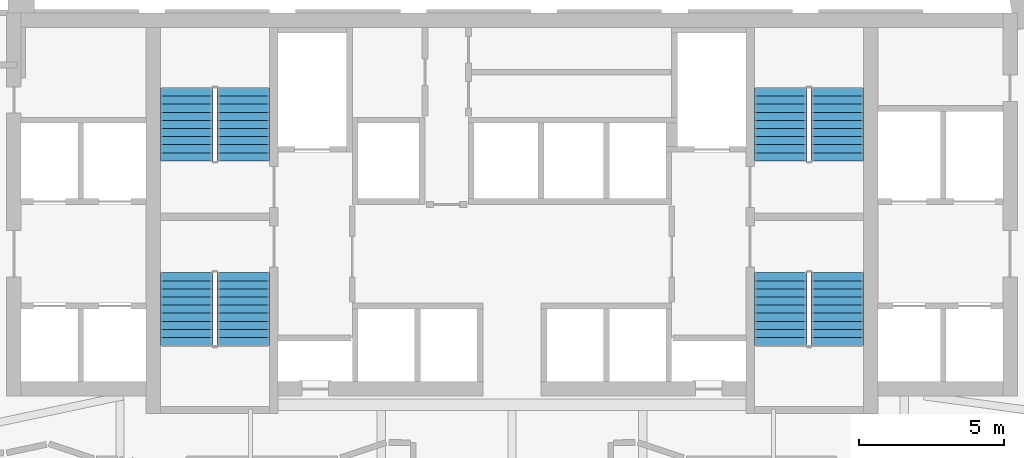
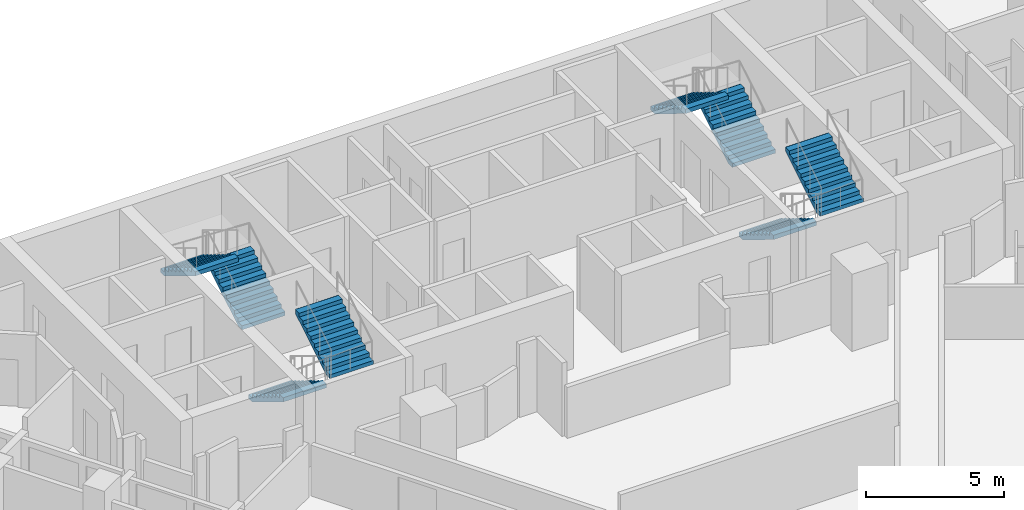
# One storey, part 10 of 11: 8 stair flights, 4 elements without a shape of their own.
"""IFC4 building model written with IfcOpenShell, lengths in metres."""

from ifc_helpers import new_model, si_unit, direction, frame, origin, place, context, subcontext, project, spatial, faceted_brep, source, transform, mapped, material, type_object, element, aggregate, save


model = new_model("IFC4")

# Units and contexts
model_context = context("Model", 3, precision=1e-05, world=origin(), true_north=direction((0.0, 1.0)))
body_context = subcontext(model_context, "Body", "Model", "MODEL_VIEW")
ifc_project = project(units=[si_unit("LENGTHUNIT", "METRE"), si_unit("AREAUNIT", "SQUARE_METRE"), si_unit("VOLUMEUNIT", "CUBIC_METRE"), si_unit("PLANEANGLEUNIT", "RADIAN"), si_unit("MASSUNIT", "GRAM", prefix="KILO")], contexts=[model_context])

# Site, building, storey
site_placement = place(None, origin())
site = spatial("IfcSite", under=ifc_project, at=site_placement, CompositionType="ELEMENT")
building_placement = place(site_placement, origin())
building = spatial("IfcBuilding", under=site, at=building_placement, Name="Calabash Gate Tower", CompositionType="ELEMENT")
storey_placement = place(building_placement, frame((0.0, 0.0, 122.39990234375)))
storey = spatial("IfcBuildingStorey", under=building, at=storey_placement, Name="L28", CompositionType="ELEMENT", Elevation=122.39990234375)

# Stair, stair flights
ifc_material_1 = material(Name="Concrete C40/50", Category="concrete")
stair_type = type_object("IfcStairType", Name="Exit stair 20 risers of 170 mm", PredefinedType="HALF_TURN_STAIR", material=ifc_material_1)
stair_1_placement = place(storey_placement, origin())
stair_1 = element("IfcStair", 1, at=stair_1_placement, inside=storey, type_object=stair_type, Name="L28 Exit stair ST1", PredefinedType="HALF_TURN_STAIR")
ifc_material_2 = material(Name="Concrete C40/50", Category="concrete")
stair_flight_type = type_object("IfcStairFlightType", Name="Exit stair flight SFL", PredefinedType="STRAIGHT", material=ifc_material_2)
shared_shape = source(origin(), body_context, "Body", "Brep", [
    faceted_brep([(-0.0009765625, -0.89990234375, 0.0), (0.2880859375, -0.89990234375, 0.0), (2.511962890625, -0.89990234375, 1.3544921875), (-0.0009765625, 0.89990234375, 0.0), (2.511962890625, 0.89990234375, 1.3544921875), (0.2880859375, 0.89990234375, 0.0), (2.511962890625, -0.89990234375, 1.5419921875), (2.510986328125, -0.89990234375, 1.5419921875), (2.510986328125, 0.89990234375, 1.5419921875), (2.511962890625, 0.89990234375, 1.5419921875), (2.510986328125, -0.89990234375, 1.530029296875), (2.510986328125, 0.89990234375, 1.530029296875), (2.23193359375, -0.89990234375, 1.530029296875), (2.23193359375, 0.89990234375, 1.530029296875), (2.23193359375, -0.89990234375, 1.360107421875), (2.23193359375, 0.89990234375, 1.360107421875), (1.952880859375, -0.89990234375, 1.360107421875), (1.952880859375, 0.89990234375, 1.360107421875), (1.952880859375, -0.89990234375, 1.18994140625), (1.952880859375, 0.89990234375, 1.18994140625), (1.674072265625, -0.89990234375, 1.18994140625), (1.674072265625, -0.89990234375, 1.02001953125), (1.674072265625, 0.89990234375, 1.02001953125), (1.674072265625, 0.89990234375, 1.18994140625), (1.39501953125, -0.89990234375, 1.02001953125), (1.39501953125, -0.89990234375, 0.85009765625), (1.39501953125, 0.89990234375, 0.85009765625), (1.39501953125, 0.89990234375, 1.02001953125), (1.115966796875, -0.89990234375, 0.85009765625), (1.115966796875, -0.89990234375, 0.679931640625), (1.115966796875, 0.89990234375, 0.679931640625), (1.115966796875, 0.89990234375, 0.85009765625), (0.8369140625, -0.89990234375, 0.679931640625), (0.8369140625, -0.89990234375, 0.510009765625), (0.8369140625, 0.89990234375, 0.510009765625), (0.8369140625, 0.89990234375, 0.679931640625), (0.55810546875, -0.89990234375, 0.510009765625), (0.55810546875, -0.89990234375, 0.340087890625), (0.55810546875, 0.89990234375, 0.340087890625), (0.55810546875, 0.89990234375, 0.510009765625), (0.279052734375, -0.89990234375, 0.340087890625), (0.279052734375, -0.89990234375, 0.169921875), (0.279052734375, 0.89990234375, 0.169921875), (0.279052734375, 0.89990234375, 0.340087890625), (-0.0009765625, -0.89990234375, 0.169921875), (-0.0009765625, 0.89990234375, 0.169921875), (0.2880859375, -0.360107421875, 0.0), (2.511962890625, -0.360107421875, 1.3544921875), (0.2880859375, -0.179931640625, 0.0), (2.511962890625, -0.179931640625, 1.3544921875), (0.2880859375, 0.0, 0.0), (2.511962890625, 0.0, 1.3544921875), (0.2880859375, 0.179931640625, 0.0), (2.511962890625, 0.179931640625, 1.3544921875), (0.2880859375, 0.360107421875, 0.0), (2.511962890625, 0.360107421875, 1.3544921875), (2.511962890625, -0.360107421875, 1.5419921875), (2.511962890625, -0.179931640625, 1.5419921875), (2.511962890625, 0.0, 1.5419921875), (2.511962890625, 0.179931640625, 1.5419921875), (2.511962890625, 0.360107421875, 1.5419921875), (2.510986328125, -0.360107421875, 1.5419921875), (2.510986328125, -0.179931640625, 1.5419921875), (2.510986328125, 0.0, 1.5419921875), (2.510986328125, 0.179931640625, 1.5419921875), (2.510986328125, 0.360107421875, 1.5419921875), (2.510986328125, -0.360107421875, 1.530029296875), (2.510986328125, -0.179931640625, 1.530029296875), (2.510986328125, 0.0, 1.530029296875), (2.510986328125, 0.179931640625, 1.530029296875), (2.510986328125, 0.360107421875, 1.530029296875), (2.23193359375, -0.360107421875, 1.530029296875), (2.23193359375, -0.179931640625, 1.530029296875), (2.23193359375, 0.0, 1.530029296875), (2.23193359375, 0.179931640625, 1.530029296875), (2.23193359375, 0.360107421875, 1.530029296875), (2.23193359375, -0.360107421875, 1.360107421875), (2.23193359375, -0.179931640625, 1.360107421875), (2.23193359375, 0.0, 1.360107421875), (2.23193359375, 0.179931640625, 1.360107421875), (2.23193359375, 0.360107421875, 1.360107421875), (1.952880859375, -0.360107421875, 1.360107421875), (1.952880859375, -0.179931640625, 1.360107421875), (1.952880859375, 0.0, 1.360107421875), (1.952880859375, 0.179931640625, 1.360107421875), (1.952880859375, 0.360107421875, 1.360107421875), (1.952880859375, -0.360107421875, 1.18994140625), (1.952880859375, -0.179931640625, 1.18994140625), (1.952880859375, 0.0, 1.18994140625), (1.952880859375, 0.179931640625, 1.18994140625), (1.952880859375, 0.360107421875, 1.18994140625), (1.674072265625, -0.360107421875, 1.18994140625), (1.674072265625, -0.179931640625, 1.18994140625), (1.674072265625, 0.0, 1.18994140625), (1.674072265625, 0.179931640625, 1.18994140625), (1.674072265625, 0.360107421875, 1.18994140625), (1.674072265625, -0.360107421875, 1.02001953125), (1.674072265625, -0.179931640625, 1.02001953125), (1.674072265625, 0.0, 1.02001953125), (1.674072265625, 0.179931640625, 1.02001953125), (1.674072265625, 0.360107421875, 1.02001953125), (1.39501953125, -0.360107421875, 1.02001953125), (1.39501953125, -0.179931640625, 1.02001953125), (1.39501953125, 0.0, 1.02001953125), (1.39501953125, 0.179931640625, 1.02001953125), (1.39501953125, 0.360107421875, 1.02001953125), (1.39501953125, -0.360107421875, 0.85009765625), (1.39501953125, -0.179931640625, 0.85009765625), (1.39501953125, 0.0, 0.85009765625), (1.39501953125, 0.179931640625, 0.85009765625), (1.39501953125, 0.360107421875, 0.85009765625), (1.115966796875, -0.360107421875, 0.85009765625), (1.115966796875, -0.179931640625, 0.85009765625), (1.115966796875, 0.0, 0.85009765625), (1.115966796875, 0.179931640625, 0.85009765625), (1.115966796875, 0.360107421875, 0.85009765625), (1.115966796875, -0.360107421875, 0.679931640625), (1.115966796875, -0.179931640625, 0.679931640625), (1.115966796875, 0.0, 0.679931640625), (1.115966796875, 0.179931640625, 0.679931640625), (1.115966796875, 0.360107421875, 0.679931640625), (0.8369140625, -0.360107421875, 0.679931640625), (0.8369140625, -0.179931640625, 0.679931640625), (0.8369140625, 0.0, 0.679931640625), (0.8369140625, 0.179931640625, 0.679931640625), (0.8369140625, 0.360107421875, 0.679931640625), (0.8369140625, -0.360107421875, 0.510009765625), (0.8369140625, -0.179931640625, 0.510009765625), (0.8369140625, 0.0, 0.510009765625), (0.8369140625, 0.179931640625, 0.510009765625), (0.8369140625, 0.360107421875, 0.510009765625), (0.55810546875, -0.360107421875, 0.510009765625), (0.55810546875, -0.179931640625, 0.510009765625), (0.55810546875, 0.0, 0.510009765625), (0.55810546875, 0.179931640625, 0.510009765625), (0.55810546875, 0.360107421875, 0.510009765625), (0.55810546875, -0.360107421875, 0.340087890625), (0.55810546875, -0.179931640625, 0.340087890625), (0.55810546875, 0.0, 0.340087890625), (0.55810546875, 0.179931640625, 0.340087890625), (0.55810546875, 0.360107421875, 0.340087890625), (0.279052734375, -0.360107421875, 0.340087890625), (0.279052734375, -0.179931640625, 0.340087890625), (0.279052734375, 0.0, 0.340087890625), (0.279052734375, 0.179931640625, 0.340087890625), (0.279052734375, 0.360107421875, 0.340087890625), (0.279052734375, -0.360107421875, 0.169921875), (0.279052734375, -0.179931640625, 0.169921875), (0.279052734375, 0.0, 0.169921875), (0.279052734375, 0.179931640625, 0.169921875), (0.279052734375, 0.360107421875, 0.169921875), (-0.0009765625, -0.360107421875, 0.169921875), (-0.0009765625, -0.179931640625, 0.169921875), (-0.0009765625, 0.0, 0.169921875), (-0.0009765625, 0.179931640625, 0.169921875), (-0.0009765625, 0.360107421875, 0.169921875), (-0.0009765625, -0.360107421875, 0.0), (-0.0009765625, -0.179931640625, 0.0), (-0.0009765625, 0.0, 0.0), (-0.0009765625, 0.179931640625, 0.0), (-0.0009765625, 0.360107421875, 0.0)], [[[0, 1, 2]], [[3, 4, 5]], [[2, 6, 7]], [[4, 8, 9]], [[2, 7, 10]], [[4, 11, 8]], [[2, 10, 12]], [[4, 13, 11]], [[2, 12, 14]], [[4, 15, 13]], [[2, 14, 16]], [[4, 17, 15]], [[2, 16, 18]], [[4, 19, 17]], [[18, 20, 21]], [[19, 22, 23]], [[2, 18, 21]], [[4, 22, 19]], [[21, 24, 25]], [[22, 26, 27]], [[2, 21, 25]], [[4, 26, 22]], [[25, 28, 29]], [[26, 30, 31]], [[2, 25, 29]], [[4, 30, 26]], [[29, 32, 33]], [[30, 34, 35]], [[2, 29, 33]], [[4, 34, 30]], [[33, 36, 37]], [[34, 38, 39]], [[2, 33, 37]], [[4, 38, 34]], [[37, 40, 41]], [[38, 42, 43]], [[2, 37, 41]], [[4, 42, 38]], [[0, 2, 41]], [[3, 42, 4]], [[41, 44, 0]], [[42, 3, 45]], [[1, 46, 2]], [[46, 47, 2]], [[46, 48, 47]], [[48, 49, 47]], [[48, 50, 49]], [[50, 51, 49]], [[50, 52, 53]], [[50, 53, 51]], [[52, 54, 55]], [[52, 55, 53]], [[54, 5, 4]], [[54, 4, 55]], [[2, 47, 6]], [[47, 56, 6]], [[47, 49, 56]], [[49, 57, 56]], [[49, 51, 57]], [[51, 58, 57]], [[51, 53, 59]], [[51, 59, 58]], [[53, 55, 60]], [[53, 60, 59]], [[55, 4, 9]], [[55, 9, 60]], [[6, 56, 7]], [[56, 61, 7]], [[56, 57, 61]], [[57, 62, 61]], [[57, 58, 62]], [[58, 63, 62]], [[58, 59, 64]], [[58, 64, 63]], [[59, 60, 65]], [[59, 65, 64]], [[60, 9, 8]], [[60, 8, 65]], [[7, 61, 10]], [[61, 66, 10]], [[61, 62, 66]], [[62, 67, 66]], [[62, 63, 67]], [[63, 68, 67]], [[63, 64, 69]], [[63, 69, 68]], [[64, 65, 70]], [[64, 70, 69]], [[65, 8, 11]], [[65, 11, 70]], [[10, 66, 12]], [[66, 71, 12]], [[66, 67, 71]], [[67, 72, 71]], [[67, 68, 72]], [[68, 73, 72]], [[68, 69, 74]], [[68, 74, 73]], [[69, 70, 75]], [[69, 75, 74]], [[70, 11, 13]], [[70, 13, 75]], [[12, 71, 14]], [[71, 76, 14]], [[71, 72, 76]], [[72, 77, 76]], [[72, 73, 77]], [[73, 78, 77]], [[73, 74, 79]], [[73, 79, 78]], [[74, 75, 80]], [[74, 80, 79]], [[75, 13, 15]], [[75, 15, 80]], [[14, 76, 16]], [[76, 81, 16]], [[76, 77, 81]], [[77, 82, 81]], [[77, 78, 82]], [[78, 83, 82]], [[78, 79, 84]], [[78, 84, 83]], [[79, 80, 85]], [[79, 85, 84]], [[80, 15, 17]], [[80, 17, 85]], [[16, 81, 18]], [[81, 86, 18]], [[81, 82, 86]], [[82, 87, 86]], [[82, 83, 87]], [[83, 88, 87]], [[83, 84, 89]], [[83, 89, 88]], [[84, 85, 90]], [[84, 90, 89]], [[85, 17, 19]], [[85, 19, 90]], [[18, 86, 20]], [[86, 91, 20]], [[86, 87, 91]], [[87, 92, 91]], [[87, 88, 92]], [[88, 93, 92]], [[88, 89, 94]], [[88, 94, 93]], [[89, 90, 95]], [[89, 95, 94]], [[90, 19, 23]], [[90, 23, 95]], [[20, 91, 21]], [[91, 96, 21]], [[91, 92, 96]], [[92, 97, 96]], [[92, 93, 97]], [[93, 98, 97]], [[93, 94, 99]], [[93, 99, 98]], [[94, 95, 100]], [[94, 100, 99]], [[95, 23, 22]], [[95, 22, 100]], [[21, 96, 24]], [[96, 101, 24]], [[96, 97, 101]], [[97, 102, 101]], [[97, 98, 102]], [[98, 103, 102]], [[98, 99, 104]], [[98, 104, 103]], [[99, 100, 105]], [[99, 105, 104]], [[100, 22, 27]], [[100, 27, 105]], [[24, 101, 25]], [[101, 106, 25]], [[101, 102, 106]], [[102, 107, 106]], [[102, 103, 107]], [[103, 108, 107]], [[103, 104, 109]], [[103, 109, 108]], [[104, 105, 110]], [[104, 110, 109]], [[105, 27, 26]], [[105, 26, 110]], [[25, 106, 28]], [[106, 111, 28]], [[106, 107, 111]], [[107, 112, 111]], [[107, 108, 112]], [[108, 113, 112]], [[108, 109, 114]], [[108, 114, 113]], [[109, 110, 115]], [[109, 115, 114]], [[110, 26, 31]], [[110, 31, 115]], [[28, 111, 29]], [[111, 116, 29]], [[111, 112, 116]], [[112, 117, 116]], [[112, 113, 117]], [[113, 118, 117]], [[113, 114, 119]], [[113, 119, 118]], [[114, 115, 120]], [[114, 120, 119]], [[115, 31, 30]], [[115, 30, 120]], [[29, 116, 32]], [[116, 121, 32]], [[116, 117, 121]], [[117, 122, 121]], [[117, 118, 122]], [[118, 123, 122]], [[118, 119, 124]], [[118, 124, 123]], [[119, 120, 125]], [[119, 125, 124]], [[120, 30, 35]], [[120, 35, 125]], [[32, 121, 33]], [[121, 126, 33]], [[121, 122, 126]], [[122, 127, 126]], [[122, 123, 127]], [[123, 128, 127]], [[123, 124, 129]], [[123, 129, 128]], [[124, 125, 130]], [[124, 130, 129]], [[125, 35, 34]], [[125, 34, 130]], [[33, 126, 36]], [[126, 131, 36]], [[126, 127, 131]], [[127, 132, 131]], [[127, 128, 132]], [[128, 133, 132]], [[128, 129, 134]], [[128, 134, 133]], [[129, 130, 135]], [[129, 135, 134]], [[130, 34, 39]], [[130, 39, 135]], [[36, 131, 37]], [[131, 136, 37]], [[131, 132, 136]], [[132, 137, 136]], [[132, 133, 137]], [[133, 138, 137]], [[133, 134, 139]], [[133, 139, 138]], [[134, 135, 140]], [[134, 140, 139]], [[135, 39, 38]], [[135, 38, 140]], [[37, 136, 40]], [[136, 141, 40]], [[136, 137, 141]], [[137, 142, 141]], [[137, 138, 142]], [[138, 143, 142]], [[138, 139, 144]], [[138, 144, 143]], [[139, 140, 145]], [[139, 145, 144]], [[140, 38, 43]], [[140, 43, 145]], [[40, 141, 41]], [[141, 146, 41]], [[141, 142, 146]], [[142, 147, 146]], [[142, 143, 147]], [[143, 148, 147]], [[143, 144, 149]], [[143, 149, 148]], [[144, 145, 150]], [[144, 150, 149]], [[145, 43, 42]], [[145, 42, 150]], [[41, 146, 44]], [[146, 151, 44]], [[146, 147, 151]], [[147, 152, 151]], [[147, 148, 152]], [[148, 153, 152]], [[148, 149, 154]], [[148, 154, 153]], [[149, 150, 155]], [[149, 155, 154]], [[150, 42, 45]], [[150, 45, 155]], [[44, 151, 0]], [[151, 156, 0]], [[151, 152, 156]], [[152, 157, 156]], [[152, 153, 157]], [[153, 158, 157]], [[153, 154, 159]], [[153, 159, 158]], [[154, 155, 160]], [[154, 160, 159]], [[155, 45, 3]], [[155, 3, 160]], [[0, 156, 1]], [[156, 46, 1]], [[156, 157, 46]], [[157, 48, 46]], [[157, 158, 48]], [[158, 50, 48]], [[158, 159, 52]], [[158, 52, 50]], [[159, 160, 54]], [[159, 54, 52]], [[160, 3, 5]], [[160, 5, 54]]]),
])
stair_flight_1_placement = place(storey_placement, frame((-9.25, 13.95263671875, 0.0), z_axis=(0.0, 0.0, 1.0), x_axis=(0.0, 1.0, 0.0)))
stair_flight_1 = element("IfcStairFlight", 2, at=stair_flight_1_placement, type_object=stair_flight_type, Name="ST1 flight 1", NumberOfRisers=10, NumberOfTreads=9, PredefinedType="STRAIGHT", RiserHeight=0.17, TreadLength=0.279, context=body_context, shape_type="MappedRepresentation", body=[
    mapped(shared_shape, transform((0.0, 0.0, 0.0), scale=1.0)),
])
stair_flight_2_placement = place(storey_placement, frame((-11.199951171875, 16.463623046875, 1.7001953125), z_axis=(0.0, 0.0, 1.0), x_axis=(0.0, -1.0, 0.0)))
stair_flight_2 = element("IfcStairFlight", 3, at=stair_flight_2_placement, type_object=stair_flight_type, Name="ST1 flight 2", NumberOfRisers=10, NumberOfTreads=9, PredefinedType="STRAIGHT", RiserHeight=0.17, TreadLength=0.279, context=body_context, shape_type="MappedRepresentation", body=[
    mapped(shared_shape, transform((0.0, 0.0, 0.0), scale=1.0)),
])
aggregate(stair_1, [stair_flight_1, stair_flight_2])

stair_2_placement = place(storey_placement, origin())
stair_2 = element("IfcStair", 4, at=stair_2_placement, inside=storey, type_object=stair_type, Name="L28 Exit stair ST2", PredefinedType="HALF_TURN_STAIR")
stair_flight_3_placement = place(storey_placement, frame((-11.199951171875, 10.1025390625, 0.0), z_axis=(0.0, 0.0, 1.0), x_axis=(0.0, -1.0, 0.0)))
stair_flight_3 = element("IfcStairFlight", 5, at=stair_flight_3_placement, type_object=stair_flight_type, Name="ST2 flight 1", NumberOfRisers=10, NumberOfTreads=9, PredefinedType="STRAIGHT", RiserHeight=0.17, TreadLength=0.279, context=body_context, shape_type="MappedRepresentation", body=[
    mapped(shared_shape, transform((0.0, 0.0, 0.0), scale=1.0)),
])
stair_flight_4_placement = place(storey_placement, frame((-9.25, 7.591552734375, 1.7001953125), z_axis=(0.0, 0.0, 1.0), x_axis=(0.0, 1.0, 0.0)))
stair_flight_4 = element("IfcStairFlight", 6, at=stair_flight_4_placement, type_object=stair_flight_type, Name="ST2 flight 2", NumberOfRisers=10, NumberOfTreads=9, PredefinedType="STRAIGHT", RiserHeight=0.17, TreadLength=0.279, context=body_context, shape_type="MappedRepresentation", body=[
    mapped(shared_shape, transform((0.0, 0.0, 0.0), scale=1.0)),
])
aggregate(stair_2, [stair_flight_3, stair_flight_4])

stair_3_placement = place(storey_placement, origin())
stair_3 = element("IfcStair", 7, at=stair_3_placement, inside=storey, type_object=stair_type, Name="L28 Exit stair ST3", PredefinedType="HALF_TURN_STAIR")
stair_flight_5_placement = place(storey_placement, frame((11.199951171875, 13.95263671875, 0.0), z_axis=(0.0, 0.0, 1.0), x_axis=(0.0, 1.0, 0.0)))
stair_flight_5 = element("IfcStairFlight", 8, at=stair_flight_5_placement, type_object=stair_flight_type, Name="ST3 flight 1", NumberOfRisers=10, NumberOfTreads=9, PredefinedType="STRAIGHT", RiserHeight=0.17, TreadLength=0.279, context=body_context, shape_type="MappedRepresentation", body=[
    mapped(shared_shape, transform((0.0, 0.0, 0.0), scale=1.0)),
])
stair_flight_6_placement = place(storey_placement, frame((9.25, 16.463623046875, 1.7001953125), z_axis=(0.0, 0.0, 1.0), x_axis=(0.0, -1.0, 0.0)))
stair_flight_6 = element("IfcStairFlight", 9, at=stair_flight_6_placement, type_object=stair_flight_type, Name="ST3 flight 2", NumberOfRisers=10, NumberOfTreads=9, PredefinedType="STRAIGHT", RiserHeight=0.17, TreadLength=0.279, context=body_context, shape_type="MappedRepresentation", body=[
    mapped(shared_shape, transform((0.0, 0.0, 0.0), scale=1.0)),
])
aggregate(stair_3, [stair_flight_5, stair_flight_6])

stair_4_placement = place(storey_placement, origin())
stair_4 = element("IfcStair", 10, at=stair_4_placement, inside=storey, type_object=stair_type, Name="L28 Exit stair ST4", PredefinedType="HALF_TURN_STAIR")
stair_flight_7_placement = place(storey_placement, frame((9.25, 10.1025390625, 0.0), z_axis=(0.0, 0.0, 1.0), x_axis=(0.0, -1.0, 0.0)))
stair_flight_7 = element("IfcStairFlight", 11, at=stair_flight_7_placement, type_object=stair_flight_type, Name="ST4 flight 1", NumberOfRisers=10, NumberOfTreads=9, PredefinedType="STRAIGHT", RiserHeight=0.17, TreadLength=0.279, context=body_context, shape_type="MappedRepresentation", body=[
    mapped(shared_shape, transform((0.0, 0.0, 0.0), scale=1.0)),
])
stair_flight_8_placement = place(storey_placement, frame((11.199951171875, 7.591552734375, 1.7001953125), z_axis=(0.0, 0.0, 1.0), x_axis=(0.0, 1.0, 0.0)))
stair_flight_8 = element("IfcStairFlight", 12, at=stair_flight_8_placement, type_object=stair_flight_type, Name="ST4 flight 2", NumberOfRisers=10, NumberOfTreads=9, PredefinedType="STRAIGHT", RiserHeight=0.17, TreadLength=0.279, context=body_context, shape_type="MappedRepresentation", body=[
    mapped(shared_shape, transform((0.0, 0.0, 0.0), scale=1.0)),
])
aggregate(stair_4, [stair_flight_7, stair_flight_8])

save(model, "model.ifc")
